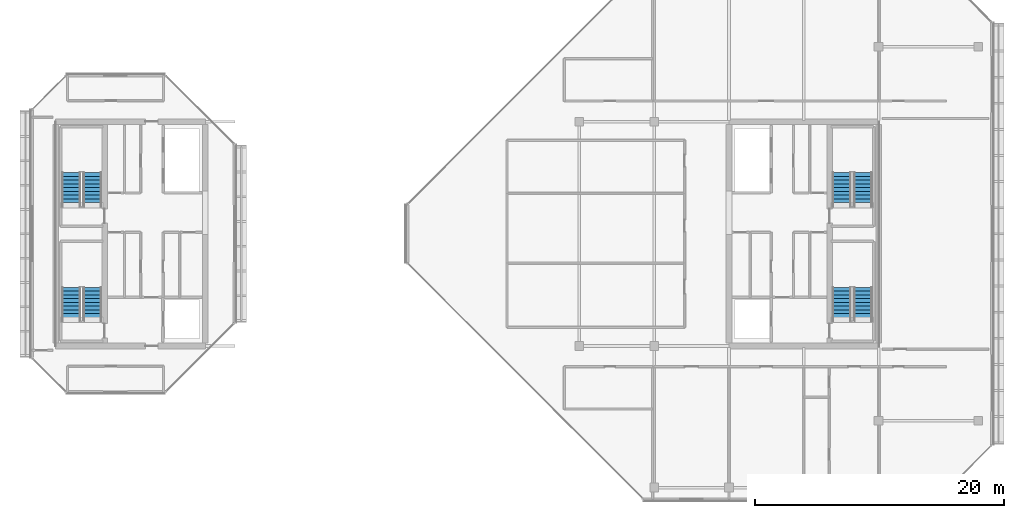
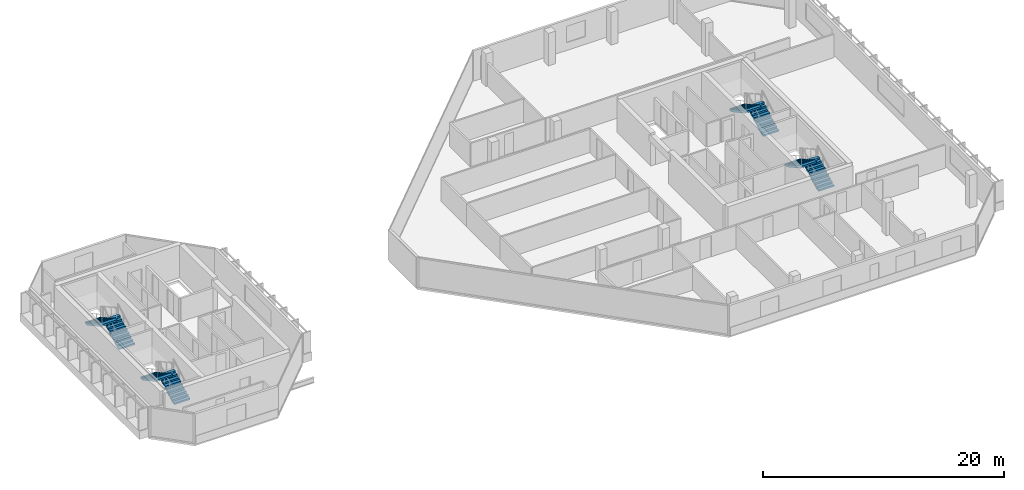
# One storey, part 26 of 29: 8 stair flights, 4 elements without a shape of their own.
"""IFC4 building model written with IfcOpenShell, lengths in metres."""

from ifc_helpers import new_model, si_unit, direction, frame, origin, place, context, subcontext, project, spatial, polyline, outline, extrude, material, type_object, element, aggregate, save


model = new_model("IFC4")

# Units and contexts
model_context = context("Model", 3, precision=1e-05, world=origin(), true_north=direction((0.0, 1.0)))
body_context = subcontext(model_context, "Body", "Model", "MODEL_VIEW")
ifc_project = project(units=[si_unit("LENGTHUNIT", "METRE"), si_unit("AREAUNIT", "SQUARE_METRE"), si_unit("VOLUMEUNIT", "CUBIC_METRE"), si_unit("PLANEANGLEUNIT", "RADIAN"), si_unit("MASSUNIT", "GRAM", prefix="KILO")], contexts=[model_context])

# Site, building, storey
site_placement = place(None, origin())
site = spatial("IfcSite", under=ifc_project, at=site_placement, CompositionType="ELEMENT")
building_placement = place(site_placement, origin())
building = spatial("IfcBuilding", under=site, at=building_placement, Name="Tanjung Sevakor Pilgrim Tower", CompositionType="ELEMENT")
storey_placement = place(building_placement, frame((0.0, 0.0, 232.64990234375)))
storey = spatial("IfcBuildingStorey", under=building, at=storey_placement, Name="L65", CompositionType="ELEMENT", Elevation=232.64990234375)

# Stair, stair flights
ifc_material_1 = material(Name="Concrete C40/50", Category="concrete")
stair_type = type_object("IfcStairType", Name="STAIR-ST-CR150", PredefinedType="HALF_TURN_STAIR", material=ifc_material_1)
stair_1_placement = place(storey_placement, origin())
stair_1 = element("IfcStair", 1, at=stair_1_placement, inside=storey, type_object=stair_type, Name="L65 West Core Exit Stair 1", PredefinedType="HALF_TURN_STAIR")
ifc_material_2 = material(Name="Concrete C40/50", Category="concrete")
stair_flight_type = type_object("IfcStairFlightType", Name="FLIGHT-ST-CR150", PredefinedType="STRAIGHT", material=ifc_material_2)
stair_flight_1_placement = place(storey_placement, frame((26.949951171875, 26.60009765625, 0.0), z_axis=(0.0, 0.0, 1.0), x_axis=(0.0, 1.0, 0.0)))
stair_flight_1 = element("IfcStairFlight", 2, at=stair_flight_1_placement, type_object=stair_flight_type, Name="TS-W1 flight 1", NumberOfRisers=10, NumberOfTreads=9, PredefinedType="STRAIGHT", RiserHeight=0.165, TreadLength=0.3, context=body_context, shape_type="SweptSolid", body=[
    extrude(outline(polyline([(0.0, 0.0), (0.0, 0.1650390625), (0.300048828125, 0.1650390625), (0.300048828125, 0.330078125), (0.60009765625, 0.330078125), (0.60009765625, 0.4951171875), (0.89990234375, 0.4951171875), (0.89990234375, 0.659912109375), (1.199951171875, 0.659912109375), (1.199951171875, 0.824951171875), (1.5, 0.824951171875), (1.5, 0.989990234375), (1.800048828125, 0.989990234375), (1.800048828125, 1.155029296875), (2.10009765625, 1.155029296875), (2.10009765625, 1.320068359375), (2.39990234375, 1.320068359375), (2.39990234375, 1.485107421875), (2.699951171875, 1.485107421875), (2.699951171875, 1.64990234375), (2.699951171875, 1.302490234375), (0.331787109375, 0.0), (0.0, 0.0)])), frame((0.0, 0.75, 0.0), z_axis=(0.0, -1.0, 0.0), x_axis=(1.0, 0.0, 0.0)), (0.0, 0.0, 1.0), 1.5),
])
stair_flight_2_placement = place(storey_placement, frame((25.25, 29.300048828125, 1.650146484375), z_axis=(0.0, 0.0, 1.0), x_axis=(0.0, -1.0, 0.0)))
stair_flight_2 = element("IfcStairFlight", 3, at=stair_flight_2_placement, type_object=stair_flight_type, Name="TS-W1 flight 2", NumberOfRisers=10, NumberOfTreads=9, PredefinedType="STRAIGHT", RiserHeight=0.165, TreadLength=0.3, context=body_context, shape_type="SweptSolid", body=[
    extrude(outline(polyline([(0.0, 0.0), (0.0, 0.1650390625), (0.300048828125, 0.1650390625), (0.300048828125, 0.330078125), (0.60009765625, 0.330078125), (0.60009765625, 0.4951171875), (0.89990234375, 0.4951171875), (0.89990234375, 0.659912109375), (1.199951171875, 0.659912109375), (1.199951171875, 0.824951171875), (1.5, 0.824951171875), (1.5, 0.989990234375), (1.800048828125, 0.989990234375), (1.800048828125, 1.155029296875), (2.10009765625, 1.155029296875), (2.10009765625, 1.320068359375), (2.39990234375, 1.320068359375), (2.39990234375, 1.485107421875), (2.699951171875, 1.485107421875), (2.699951171875, 1.64990234375), (2.699951171875, 1.302490234375), (0.331787109375, 0.0), (0.0, 0.0)])), frame((0.0, 0.75, 0.0), z_axis=(0.0, -1.0, 0.0), x_axis=(1.0, 0.0, 0.0)), (0.0, 0.0, 1.0), 1.5),
])
aggregate(stair_1, [stair_flight_1, stair_flight_2])

stair_2_placement = place(storey_placement, origin())
stair_2 = element("IfcStair", 4, at=stair_2_placement, inside=storey, type_object=stair_type, Name="L65 West Core Exit Stair 2", PredefinedType="HALF_TURN_STAIR")
stair_flight_3_placement = place(storey_placement, frame((26.949951171875, 35.800048828125, 0.0), z_axis=(0.0, 0.0, 1.0), x_axis=(0.0, 1.0, 0.0)))
stair_flight_3 = element("IfcStairFlight", 5, at=stair_flight_3_placement, type_object=stair_flight_type, Name="TS-W2 flight 1", NumberOfRisers=10, NumberOfTreads=9, PredefinedType="STRAIGHT", RiserHeight=0.165, TreadLength=0.3, context=body_context, shape_type="SweptSolid", body=[
    extrude(outline(polyline([(0.0, 0.0), (0.0, 0.1650390625), (0.300048828125, 0.1650390625), (0.300048828125, 0.330078125), (0.60009765625, 0.330078125), (0.60009765625, 0.4951171875), (0.89990234375, 0.4951171875), (0.89990234375, 0.659912109375), (1.199951171875, 0.659912109375), (1.199951171875, 0.824951171875), (1.5, 0.824951171875), (1.5, 0.989990234375), (1.800048828125, 0.989990234375), (1.800048828125, 1.155029296875), (2.10009765625, 1.155029296875), (2.10009765625, 1.320068359375), (2.39990234375, 1.320068359375), (2.39990234375, 1.485107421875), (2.699951171875, 1.485107421875), (2.699951171875, 1.64990234375), (2.699951171875, 1.302490234375), (0.331787109375, 0.0), (0.0, 0.0)])), frame((0.0, 0.75, 0.0), z_axis=(0.0, -1.0, 0.0), x_axis=(1.0, 0.0, 0.0)), (0.0, 0.0, 1.0), 1.5),
])
stair_flight_4_placement = place(storey_placement, frame((25.25, 38.5, 1.650146484375), z_axis=(0.0, 0.0, 1.0), x_axis=(0.0, -1.0, 0.0)))
stair_flight_4 = element("IfcStairFlight", 6, at=stair_flight_4_placement, type_object=stair_flight_type, Name="TS-W2 flight 2", NumberOfRisers=10, NumberOfTreads=9, PredefinedType="STRAIGHT", RiserHeight=0.165, TreadLength=0.3, context=body_context, shape_type="SweptSolid", body=[
    extrude(outline(polyline([(0.0, 0.0), (0.0, 0.1650390625), (0.300048828125, 0.1650390625), (0.300048828125, 0.330078125), (0.60009765625, 0.330078125), (0.60009765625, 0.4951171875), (0.89990234375, 0.4951171875), (0.89990234375, 0.659912109375), (1.199951171875, 0.659912109375), (1.199951171875, 0.824951171875), (1.5, 0.824951171875), (1.5, 0.989990234375), (1.800048828125, 0.989990234375), (1.800048828125, 1.155029296875), (2.10009765625, 1.155029296875), (2.10009765625, 1.320068359375), (2.39990234375, 1.320068359375), (2.39990234375, 1.485107421875), (2.699951171875, 1.485107421875), (2.699951171875, 1.64990234375), (2.699951171875, 1.302490234375), (0.331787109375, 0.0), (0.0, 0.0)])), frame((0.0, 0.75, 0.0), z_axis=(0.0, -1.0, 0.0), x_axis=(1.0, 0.0, 0.0)), (0.0, 0.0, 1.0), 1.5),
])
aggregate(stair_2, [stair_flight_3, stair_flight_4])

stair_3_placement = place(storey_placement, origin())
stair_3 = element("IfcStair", 7, at=stair_3_placement, inside=storey, type_object=stair_type, Name="L65 East Core Exit Stair 1", PredefinedType="HALF_TURN_STAIR")
stair_flight_5_placement = place(storey_placement, frame((88.75, 26.60009765625, 0.0), z_axis=(0.0, 0.0, 1.0), x_axis=(0.0, 1.0, 0.0)))
stair_flight_5 = element("IfcStairFlight", 8, at=stair_flight_5_placement, type_object=stair_flight_type, Name="TS-E1 flight 1", NumberOfRisers=10, NumberOfTreads=9, PredefinedType="STRAIGHT", RiserHeight=0.165, TreadLength=0.3, context=body_context, shape_type="SweptSolid", body=[
    extrude(outline(polyline([(0.0, 0.0), (0.0, 0.1650390625), (0.300048828125, 0.1650390625), (0.300048828125, 0.330078125), (0.60009765625, 0.330078125), (0.60009765625, 0.4951171875), (0.89990234375, 0.4951171875), (0.89990234375, 0.659912109375), (1.199951171875, 0.659912109375), (1.199951171875, 0.824951171875), (1.5, 0.824951171875), (1.5, 0.989990234375), (1.800048828125, 0.989990234375), (1.800048828125, 1.155029296875), (2.10009765625, 1.155029296875), (2.10009765625, 1.320068359375), (2.39990234375, 1.320068359375), (2.39990234375, 1.485107421875), (2.699951171875, 1.485107421875), (2.699951171875, 1.64990234375), (2.699951171875, 1.302490234375), (0.331787109375, 0.0), (0.0, 0.0)])), frame((0.0, 0.75, 0.0), z_axis=(0.0, -1.0, 0.0), x_axis=(1.0, 0.0, 0.0)), (0.0, 0.0, 1.0), 1.5),
])
stair_flight_6_placement = place(storey_placement, frame((87.050048828125, 29.300048828125, 1.650146484375), z_axis=(0.0, 0.0, 1.0), x_axis=(0.0, -1.0, 0.0)))
stair_flight_6 = element("IfcStairFlight", 9, at=stair_flight_6_placement, type_object=stair_flight_type, Name="TS-E1 flight 2", NumberOfRisers=10, NumberOfTreads=9, PredefinedType="STRAIGHT", RiserHeight=0.165, TreadLength=0.3, context=body_context, shape_type="SweptSolid", body=[
    extrude(outline(polyline([(0.0, 0.0), (0.0, 0.1650390625), (0.300048828125, 0.1650390625), (0.300048828125, 0.330078125), (0.60009765625, 0.330078125), (0.60009765625, 0.4951171875), (0.89990234375, 0.4951171875), (0.89990234375, 0.659912109375), (1.199951171875, 0.659912109375), (1.199951171875, 0.824951171875), (1.5, 0.824951171875), (1.5, 0.989990234375), (1.800048828125, 0.989990234375), (1.800048828125, 1.155029296875), (2.10009765625, 1.155029296875), (2.10009765625, 1.320068359375), (2.39990234375, 1.320068359375), (2.39990234375, 1.485107421875), (2.699951171875, 1.485107421875), (2.699951171875, 1.64990234375), (2.699951171875, 1.302490234375), (0.331787109375, 0.0), (0.0, 0.0)])), frame((0.0, 0.75, 0.0), z_axis=(0.0, -1.0, 0.0), x_axis=(1.0, 0.0, 0.0)), (0.0, 0.0, 1.0), 1.5),
])
aggregate(stair_3, [stair_flight_5, stair_flight_6])

stair_4_placement = place(storey_placement, origin())
stair_4 = element("IfcStair", 10, at=stair_4_placement, inside=storey, type_object=stair_type, Name="L65 East Core Exit Stair 2", PredefinedType="HALF_TURN_STAIR")
stair_flight_7_placement = place(storey_placement, frame((88.75, 35.800048828125, 0.0), z_axis=(0.0, 0.0, 1.0), x_axis=(0.0, 1.0, 0.0)))
stair_flight_7 = element("IfcStairFlight", 11, at=stair_flight_7_placement, type_object=stair_flight_type, Name="TS-E2 flight 1", NumberOfRisers=10, NumberOfTreads=9, PredefinedType="STRAIGHT", RiserHeight=0.165, TreadLength=0.3, context=body_context, shape_type="SweptSolid", body=[
    extrude(outline(polyline([(0.0, 0.0), (0.0, 0.1650390625), (0.300048828125, 0.1650390625), (0.300048828125, 0.330078125), (0.60009765625, 0.330078125), (0.60009765625, 0.4951171875), (0.89990234375, 0.4951171875), (0.89990234375, 0.659912109375), (1.199951171875, 0.659912109375), (1.199951171875, 0.824951171875), (1.5, 0.824951171875), (1.5, 0.989990234375), (1.800048828125, 0.989990234375), (1.800048828125, 1.155029296875), (2.10009765625, 1.155029296875), (2.10009765625, 1.320068359375), (2.39990234375, 1.320068359375), (2.39990234375, 1.485107421875), (2.699951171875, 1.485107421875), (2.699951171875, 1.64990234375), (2.699951171875, 1.302490234375), (0.331787109375, 0.0), (0.0, 0.0)])), frame((0.0, 0.75, 0.0), z_axis=(0.0, -1.0, 0.0), x_axis=(1.0, 0.0, 0.0)), (0.0, 0.0, 1.0), 1.5),
])
stair_flight_8_placement = place(storey_placement, frame((87.050048828125, 38.5, 1.650146484375), z_axis=(0.0, 0.0, 1.0), x_axis=(0.0, -1.0, 0.0)))
stair_flight_8 = element("IfcStairFlight", 12, at=stair_flight_8_placement, type_object=stair_flight_type, Name="TS-E2 flight 2", NumberOfRisers=10, NumberOfTreads=9, PredefinedType="STRAIGHT", RiserHeight=0.165, TreadLength=0.3, context=body_context, shape_type="SweptSolid", body=[
    extrude(outline(polyline([(0.0, 0.0), (0.0, 0.1650390625), (0.300048828125, 0.1650390625), (0.300048828125, 0.330078125), (0.60009765625, 0.330078125), (0.60009765625, 0.4951171875), (0.89990234375, 0.4951171875), (0.89990234375, 0.659912109375), (1.199951171875, 0.659912109375), (1.199951171875, 0.824951171875), (1.5, 0.824951171875), (1.5, 0.989990234375), (1.800048828125, 0.989990234375), (1.800048828125, 1.155029296875), (2.10009765625, 1.155029296875), (2.10009765625, 1.320068359375), (2.39990234375, 1.320068359375), (2.39990234375, 1.485107421875), (2.699951171875, 1.485107421875), (2.699951171875, 1.64990234375), (2.699951171875, 1.302490234375), (0.331787109375, 0.0), (0.0, 0.0)])), frame((0.0, 0.75, 0.0), z_axis=(0.0, -1.0, 0.0), x_axis=(1.0, 0.0, 0.0)), (0.0, 0.0, 1.0), 1.5),
])
aggregate(stair_4, [stair_flight_7, stair_flight_8])

save(model, "model.ifc")
